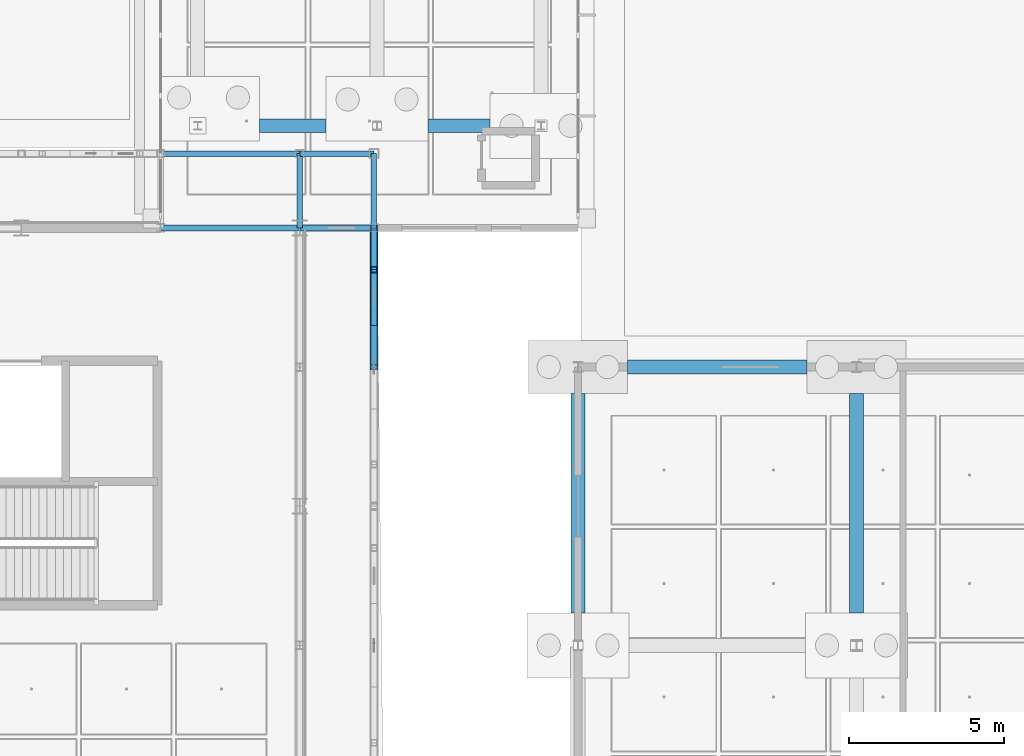
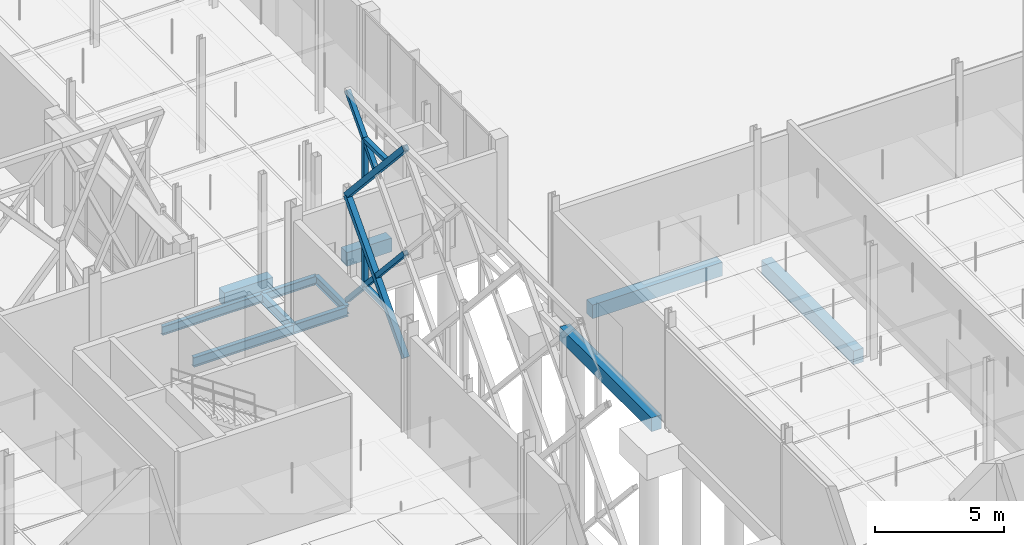
# One storey, part 46 of 180: 11 beams, 9 members.
"""IFC4 building model written with IfcOpenShell, lengths in metres."""

from ifc_helpers import new_model, si_unit, direction, frame, origin, origin_2d, place, context, subcontext, project, spatial, rectangle, hollow_rectangle, i_section, extrude, material, material_profile, profile_set, type_object, element, save


model = new_model("IFC4")

# Units and contexts
model_context = context("Model", 3, precision=1e-05, world=origin(), true_north=direction((0.0, 1.0)))
body_context = subcontext(model_context, "Body", "Model", "MODEL_VIEW")
ifc_project = project(units=[si_unit("LENGTHUNIT", "METRE"), si_unit("AREAUNIT", "SQUARE_METRE"), si_unit("VOLUMEUNIT", "CUBIC_METRE"), si_unit("PLANEANGLEUNIT", "RADIAN"), si_unit("MASSUNIT", "GRAM", prefix="KILO"), si_unit("THERMODYNAMICTEMPERATUREUNIT", "KELVIN"), si_unit("POWERUNIT", "WATT")], contexts=[model_context])

# Site, building, storey
site_placement = place(None, origin())
site = spatial("IfcSite", under=ifc_project, at=site_placement, CompositionType="ELEMENT")
building_placement = place(site_placement, origin())
building = spatial("IfcBuilding", under=site, at=building_placement, Name="Tallowbark Science Centre", CompositionType="ELEMENT")
storey_placement = place(building_placement, origin())
storey = spatial("IfcBuildingStorey", under=building, at=storey_placement, Name="L00", CompositionType="ELEMENT", Elevation=0.0)

# Beams
ifc_material_1 = material(Name="Concrete Grade N40 (40 MPa)", Category="concrete")
ifc_material_profile_1 = material_profile(ifc_material_1, rectangle(XDim=0.449951171875, YDim=0.64990234375, at=origin_2d()), Name="RC450x650")
ifc_profile_set_1 = profile_set([ifc_material_profile_1], Name="Concrete Grade N40 (40 MPa)")
beam_type_1 = type_object("IfcBeamType", Name="BM-GB2-N40", PredefinedType="BEAM", material=ifc_profile_set_1)
beam_1_placement = place(storey_placement, frame((114.10009765625, 36.0, -0.5849609375), z_axis=(1.0, 0.0, 0.0), x_axis=(0.0, 1.0, 0.0)))
element("IfcBeam", 1, at=beam_1_placement, inside=storey, type_object=beam_type_1, Name="Ground Tie Beam GBT-X-262", PredefinedType="BEAM", context=body_context, shape_type="SweptSolid", body=[
    extrude(rectangle(XDim=0.449951171875, YDim=0.64990234375, at=origin_2d()), origin(), (0.0, 0.0, 1.0), 5.7998046875),
])
beam_2_placement = place(storey_placement, frame((102.199951171875, 43.800048828125, -0.5849609375), z_axis=(1.0, 0.0, 0.0), x_axis=(0.0, 1.0, 0.0)))
element("IfcBeam", 2, at=beam_2_placement, inside=storey, type_object=beam_type_1, Name="Ground Tie Beam GBT-X-292", PredefinedType="BEAM", context=body_context, shape_type="SweptSolid", body=[
    extrude(rectangle(XDim=0.449951171875, YDim=0.64990234375, at=origin_2d()), origin(), (0.0, 0.0, 1.0), 2.150146484375),
])
beam_3_placement = place(storey_placement, frame((107.64990234375, 43.800048828125, -0.5849609375), z_axis=(1.0, 0.0, 0.0), x_axis=(0.0, 1.0, 0.0)))
element("IfcBeam", 3, at=beam_3_placement, inside=storey, type_object=beam_type_1, Name="Ground Tie Beam GBT-X-293", PredefinedType="BEAM", context=body_context, shape_type="SweptSolid", body=[
    extrude(rectangle(XDim=0.449951171875, YDim=0.64990234375, at=origin_2d()), origin(), (0.0, 0.0, 1.0), 2.0),
])
for number, where, z_axis, x_axis, name in (
    (4, (112.5, 28.050048828125, -0.5849609375), (0.0, 1.0, 0.0), (-1.0, 0.0, 0.0), "Ground Tie Beam GBT-Y-330"),
    (5, (121.5, 28.050048828125, -0.5849609375), (0.0, 1.0, 0.0), (-1.0, 0.0, 0.0), "Ground Tie Beam GBT-Y-333"),
):
    element("IfcBeam", number, at=place(storey_placement, frame(where, z_axis=z_axis, x_axis=x_axis)), inside=storey, type_object=beam_type_1, Name=name, PredefinedType="BEAM", context=body_context, shape_type="SweptSolid", body=[
        extrude(rectangle(XDim=0.449951171875, YDim=0.64990234375, at=origin_2d()), origin(), (0.0, 0.0, 1.0), 7.099853515625),
    ])
ifc_material_2 = material(Name="Structural Steel Grade 300PLUS (300 MPa)", Category="steel")
ifc_material_profile_2 = material_profile(ifc_material_2, i_section(OverallWidth=0.177734375, OverallDepth=0.406494140625, WebThickness=0.0078125, FlangeThickness=0.0126953125, FilletRadius=0.011474609375, at=origin_2d()), Name="410UB59.7")
ifc_profile_set_2 = profile_set([ifc_material_profile_2], Name="Structural Steel Grade 300PLUS (300 MPa)")
beam_type_2 = type_object("IfcBeamType", Name="BM-UB410", PredefinedType="BEAM", material=ifc_profile_set_2)
beam_4_placement = place(storey_placement, frame((99.0, 42.89990234375, -0.46826171875), z_axis=(1.0, 0.0, 0.0), x_axis=(0.0, 1.0, 0.0)))
element("IfcBeam", 6, at=beam_4_placement, inside=storey, type_object=beam_type_2, Name="Primary Girder GRDX-L00-990-1035-429", PredefinedType="BEAM", context=body_context, shape_type="SweptSolid", body=[
    extrude(i_section(OverallWidth=0.177734375, OverallDepth=0.406494140625, WebThickness=0.0078125, FlangeThickness=0.0126953125, FilletRadius=0.011474609375, at=origin_2d()), origin(), (0.0, 0.0, 1.0), 4.5),
])
for number, where, z_axis, x_axis, name in (
    (7, (103.5, 42.89990234375, -0.46826171875), (1.0, 0.0, 0.0), (0.0, 1.0, 0.0), "Primary Girder GRDX-L00-1035-1059-429"),
    (8, (105.89990234375, 40.5, -0.46826171875), (0.0, 1.0, 0.0), (-1.0, 0.0, 0.0), "Primary Girder GRDY-L00-1059-405-429"),
):
    element("IfcBeam", number, at=place(storey_placement, frame(where, z_axis=z_axis, x_axis=x_axis)), inside=storey, type_object=beam_type_2, Name=name, PredefinedType="BEAM", context=body_context, shape_type="SweptSolid", body=[
        extrude(i_section(OverallWidth=0.177734375, OverallDepth=0.406494140625, WebThickness=0.0078125, FlangeThickness=0.0126953125, FilletRadius=0.011474609375, at=origin_2d()), origin(), (0.0, 0.0, 1.0), 2.39990234375),
    ])

# Members
ifc_material_3 = material(Name="White Architectural Painted Steel Grade C350L0 (350 MPa)", Category="steel")
ifc_material_profile_3 = material_profile(ifc_material_3, hollow_rectangle(XDim=0.25, YDim=0.25, WallThickness=0.009033203125, at=origin_2d()), Name="250x250x9.0SHS")
ifc_profile_set_3 = profile_set([ifc_material_profile_3], Name="White Architectural Painted Steel Grade C350L0 (350 MPa)")
member_type_1 = type_object("IfcMemberType", Name="SCR-CHD200", PredefinedType="CHORD", material=ifc_profile_set_3)
for number, where, z_axis, x_axis, name in (
    (9, (105.89990234375, 36.0, 0.0), (0.0, 0.672676426978, 0.739936770669), (-1.0, 0.0, 0.0), "Star Screen Octagram Diamond Chord E-16-1"),
    (10, (105.89990234375, 40.5, 4.949951171875), (0.0, -0.672676426978, 0.739936770669), (1.0, 0.0, 0.0), "Star Screen Octagram Diamond Chord E-16-2"),
):
    element("IfcMember", number, at=place(storey_placement, frame(where, z_axis=z_axis, x_axis=x_axis)), inside=storey, type_object=member_type_1, Name=name, PredefinedType="CHORD", context=body_context, shape_type="SweptSolid", body=[
        extrude(hollow_rectangle(XDim=0.25, YDim=0.25, WallThickness=0.009033203125, at=origin_2d()), origin(), (0.0, 0.0, 1.0), 6.689697265625),
    ])
ifc_material_profile_4 = material_profile(ifc_material_3, hollow_rectangle(XDim=0.199951171875, YDim=0.199951171875, WallThickness=0.009033203125, at=origin_2d()), Name="200x200x9.0SHS")
ifc_profile_set_4 = profile_set([ifc_material_profile_4], Name="White Architectural Painted Steel Grade C350L0 (350 MPa)")
member_type_2 = type_object("IfcMemberType", Name="SCR-STAR139", PredefinedType="BRACE", material=ifc_profile_set_4)
for number, where, z_axis, x_axis, name in (
    (11, (105.89990234375, 38.25, 7.425048828125), (0.0, 0.672694592231, 0.739920256233), (-1.0, 0.0, 0.0), "Star Screen Continuous X-Diagonal D1B E-16"),
    (12, (105.89990234375, 36.0, 4.949951171875), (0.0, 0.672694592231, -0.739920256233), (-1.0, 0.0, 0.0), "Star Screen Split X-Diagonal D2C E-16"),
):
    element("IfcMember", number, at=place(storey_placement, frame(where, z_axis=z_axis, x_axis=x_axis)), inside=storey, type_object=member_type_2, Name=name, PredefinedType="BRACE", context=body_context, shape_type="SweptSolid", body=[
        extrude(hollow_rectangle(XDim=0.199951171875, YDim=0.199951171875, WallThickness=0.009033203125, at=origin_2d()), origin(), (0.0, 0.0, 1.0), 3.3447265625),
    ])
member_1_placement = place(storey_placement, frame((105.89990234375, 38.25, 2.47509765625), z_axis=(0.0, 0.672658262301, -0.739953283768), x_axis=(-1.0, 0.0, 0.0)))
element("IfcMember", 13, at=member_1_placement, inside=storey, type_object=member_type_2, Name="Star Screen Split X-Diagonal D2D E-16", PredefinedType="BRACE", context=body_context, shape_type="SweptSolid", body=[
    extrude(hollow_rectangle(XDim=0.199951171875, YDim=0.199951171875, WallThickness=0.009033203125, at=origin_2d()), origin(), (0.0, 0.0, 1.0), 3.344970703125),
])
ifc_material_profile_5 = material_profile(ifc_material_3, hollow_rectangle(XDim=0.199951171875, YDim=0.199951171875, WallThickness=0.009033203125, at=origin_2d()), Name="200x200x9.0SHS")
ifc_profile_set_5 = profile_set([ifc_material_profile_5], Name="White Architectural Painted Steel Grade C350L0 (350 MPa)")
member_type_3 = type_object("IfcMemberType", Name="SCR-SUB150", PredefinedType="BRACE", material=ifc_profile_set_5)
member_2_placement = place(storey_placement, frame((105.89990234375, 39.14990234375, 1.485107421875), z_axis=(0.0, -1.0, 0.0), x_axis=(1.0, 0.0, 0.0)))
element("IfcMember", 14, at=member_2_placement, inside=storey, type_object=member_type_3, Name="Star Screen Octagram Point Ray E-16-3", PredefinedType="BRACE", context=body_context, shape_type="SweptSolid", body=[
    extrude(hollow_rectangle(XDim=0.199951171875, YDim=0.199951171875, WallThickness=0.009033203125, at=origin_2d()), origin(), (0.0, 0.0, 1.0), 1.7998046875),
])
member_3_placement = place(storey_placement, frame((105.89990234375, 39.14990234375, 1.485107421875), z_axis=(0.0, 0.0, 1.0), x_axis=(1.0, 0.0, 0.0)))
element("IfcMember", 15, at=member_3_placement, inside=storey, type_object=member_type_3, Name="Star Screen Octagram Point Ray E-16-4", PredefinedType="BRACE", context=body_context, shape_type="SweptSolid", body=[
    extrude(hollow_rectangle(XDim=0.199951171875, YDim=0.199951171875, WallThickness=0.009033203125, at=origin_2d()), origin(), (0.0, 0.0, 1.0), 1.97998046875),
])
member_4_placement = place(storey_placement, frame((105.89990234375, 39.14990234375, 8.4150390625), z_axis=(0.0, -1.0, 0.0), x_axis=(1.0, 0.0, 0.0)))
element("IfcMember", 16, at=member_4_placement, inside=storey, type_object=member_type_3, Name="Star Screen Octagram Point Ray E-16-5", PredefinedType="BRACE", context=body_context, shape_type="SweptSolid", body=[
    extrude(hollow_rectangle(XDim=0.199951171875, YDim=0.199951171875, WallThickness=0.009033203125, at=origin_2d()), origin(), (0.0, 0.0, 1.0), 1.7998046875),
])
member_5_placement = place(storey_placement, frame((105.89990234375, 39.14990234375, 8.4150390625), z_axis=(0.0, 0.0, -1.0), x_axis=(1.0, 0.0, 0.0)))
element("IfcMember", 17, at=member_5_placement, inside=storey, type_object=member_type_3, Name="Star Screen Octagram Point Ray E-16-6", PredefinedType="BRACE", context=body_context, shape_type="SweptSolid", body=[
    extrude(hollow_rectangle(XDim=0.199951171875, YDim=0.199951171875, WallThickness=0.009033203125, at=origin_2d()), origin(), (0.0, 0.0, 1.0), 1.97998046875),
])

# Beams
ifc_material_profile_6 = material_profile(ifc_material_2, i_section(OverallWidth=0.18994140625, OverallDepth=0.453857421875, WebThickness=0.008544921875, FlangeThickness=0.0126953125, FilletRadius=0.011474609375, at=origin_2d()), Name="460UB67.1")
ifc_profile_set_6 = profile_set([ifc_material_profile_6], Name="Structural Steel Grade 300PLUS (300 MPa)")
beam_type_3 = type_object("IfcBeamType", Name="SPN-UB460", PredefinedType="SPANDREL", material=ifc_profile_set_6)
beam_5_placement = place(storey_placement, frame((99.0, 40.5, -0.491943359375), z_axis=(1.0, 0.0, 0.0), x_axis=(0.0, 1.0, 0.0)))
element("IfcBeam", 18, at=beam_5_placement, inside=storey, type_object=beam_type_3, Name="Primary Girder GRDX-L00-990-1035-405", PredefinedType="SPANDREL", context=body_context, shape_type="SweptSolid", body=[
    extrude(i_section(OverallWidth=0.18994140625, OverallDepth=0.453857421875, WebThickness=0.008544921875, FlangeThickness=0.0126953125, FilletRadius=0.011474609375, at=origin_2d()), origin(), (0.0, 0.0, 1.0), 4.5),
])
for number, where, z_axis, x_axis, name in (
    (19, (103.5, 40.5, -0.491943359375), (1.0, 0.0, 0.0), (0.0, 1.0, 0.0), "Primary Girder GRDX-L00-1035-1059-405"),
    (20, (103.5, 40.5, -0.491943359375), (0.0, 1.0, 0.0), (-1.0, 0.0, 0.0), "Primary Girder GRDY-L00-1035-405-429"),
):
    element("IfcBeam", number, at=place(storey_placement, frame(where, z_axis=z_axis, x_axis=x_axis)), inside=storey, type_object=beam_type_3, Name=name, PredefinedType="SPANDREL", context=body_context, shape_type="SweptSolid", body=[
        extrude(i_section(OverallWidth=0.18994140625, OverallDepth=0.453857421875, WebThickness=0.008544921875, FlangeThickness=0.0126953125, FilletRadius=0.011474609375, at=origin_2d()), origin(), (0.0, 0.0, 1.0), 2.39990234375),
    ])

save(model, "model.ifc")
